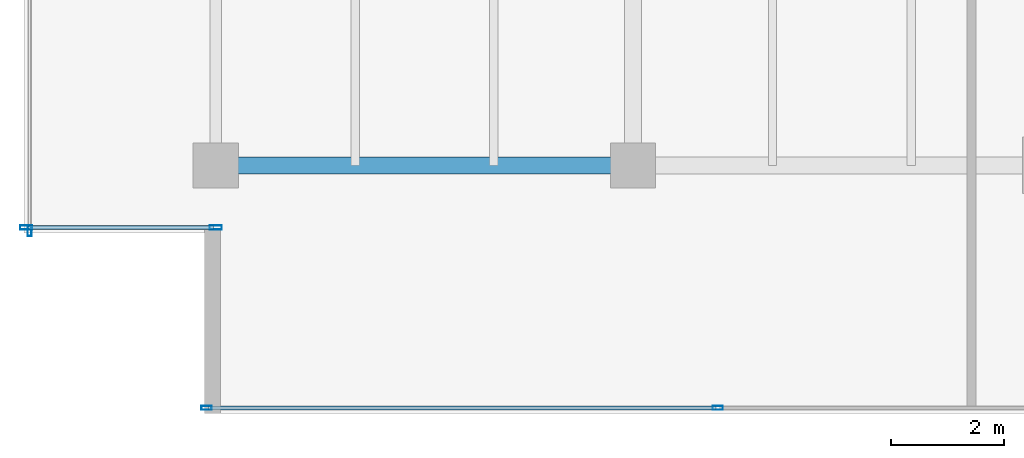
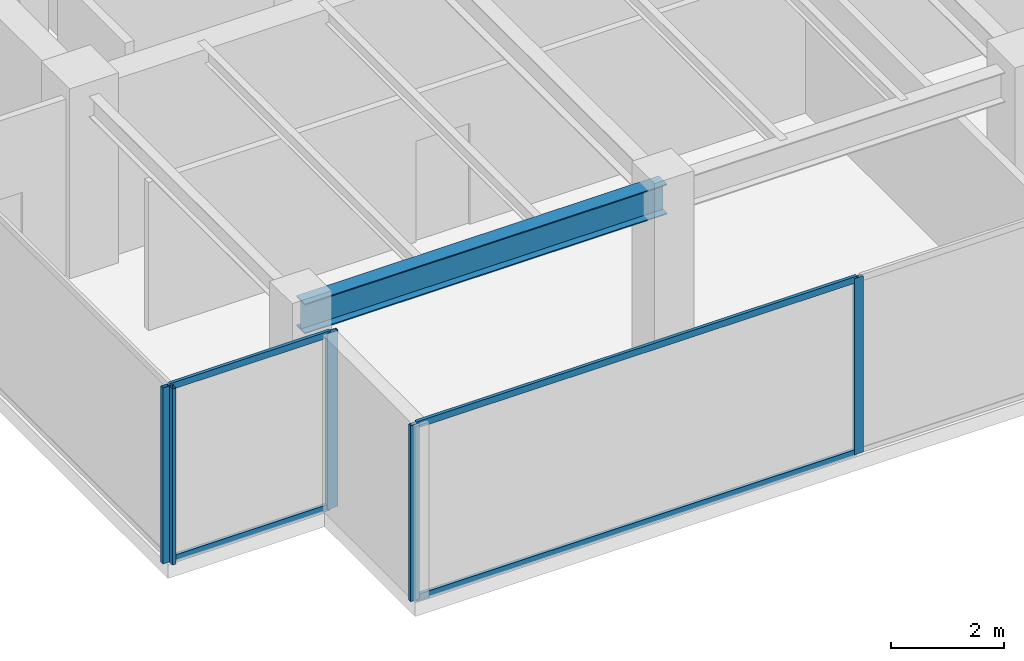
# One storey, part 5 of 33: 9 members, 1 beam, 3 elements without a shape of their own.
"""IFC4 building model written with IfcOpenShell, lengths in metres."""

from ifc_helpers import new_model, si_unit, direction, frame, origin, origin_2d, place, context, subcontext, project, spatial, hollow_rectangle, i_section, extrude, source, transform, mapped, material, layer, layer_set, material_profile, profile_set, type_object, type_shapes, element, aggregate, save


model = new_model("IFC4")

# Units and contexts
model_context = context("Model", 3, precision=1e-05, world=origin(), true_north=direction((0.0, 1.0)))
body_context = subcontext(model_context, "Body", "Model", "MODEL_VIEW")
ifc_project = project(units=[si_unit("LENGTHUNIT", "METRE"), si_unit("AREAUNIT", "SQUARE_METRE"), si_unit("VOLUMEUNIT", "CUBIC_METRE"), si_unit("PLANEANGLEUNIT", "RADIAN"), si_unit("MASSUNIT", "GRAM", prefix="KILO")], contexts=[model_context])

# Site, building, storey
site_placement = place(None, origin())
site = spatial("IfcSite", under=ifc_project, at=site_placement, CompositionType="ELEMENT")
building_placement = place(site_placement, origin())
building = spatial("IfcBuilding", under=site, at=building_placement, Name="Haelvirn Gate Laboratories", CompositionType="ELEMENT")
storey_placement = place(building_placement, frame((0.0, 0.0, 230.10009765625)))
storey = spatial("IfcBuildingStorey", under=building, at=storey_placement, Name="L55", CompositionType="ELEMENT", Elevation=230.10009765625)

# Beam
ifc_material_1 = material(Name="Steel SM355", Category="steel")
ifc_material_profile_1 = material_profile(ifc_material_1, i_section(OverallWidth=0.300048828125, OverallDepth=0.64990234375, WebThickness=0.012939453125, FlangeThickness=0.02197265625, at=origin_2d()), Name="H-650x300x13x22")
ifc_profile_set_1 = profile_set([ifc_material_profile_1], Name="Steel SM355")
beam_type = type_object("IfcBeamType", Name="BM-G-650", PredefinedType="BEAM", material=ifc_profile_set_1)
shared_shape_1 = source(origin(), body_context, "Body", "SweptSolid", [
    extrude(i_section(OverallWidth=0.300048828125, OverallDepth=0.64990234375, WebThickness=0.012939453125, FlangeThickness=0.02197265625, at=origin_2d()), origin(), (0.0, 0.0, 1.0), 7.400146484375),
])
type_shapes(beam_type, [shared_shape_1])
beam_placement = place(storey_placement, frame((7.39990234375, 7.0, 3.474853515625), z_axis=(1.0, 0.0, 0.0), x_axis=(0.0, 1.0, 0.0)))
element("IfcBeam", 1, at=beam_placement, inside=storey, type_object=beam_type, Name="L55 Primary Girder Y7.0 (7.4-14.8)", PredefinedType="BEAM", context=body_context, shape_type="MappedRepresentation", body=[
    mapped(shared_shape_1, transform((0.0, 0.0, 0.0), scale=1.0)),
])

# Curtain wall, members
ifc_material_2 = material(Name="Anodised bronze unitised aluminium & triple low-E glass", Category="aluminium")
ifc_layer_1 = layer(ifc_material_2, 0.181884765625, Name="CW-SYS-5")
ifc_layer_set_1 = layer_set([ifc_layer_1], Name="Anodised bronze unitised aluminium & triple low-E glass")
curtain_wall_type_1 = type_object("IfcCurtainWallType", Name="CW-SYS-5", PredefinedType="NOTDEFINED", material=ifc_layer_set_1)
curtain_wall_1_placement = place(storey_placement, origin())
curtain_wall_1 = element("IfcCurtainWall", 2, at=curtain_wall_1_placement, inside=storey, type_object=curtain_wall_type_1, Name="L55 Unitised Curtain Wall CW-L55-P0-E18-1", PredefinedType="NOTDEFINED")
ifc_material_3 = material(Name="Extruded aluminium 6063-T6 (anodised bronze)", Category="aluminium")
ifc_material_profile_2 = material_profile(ifc_material_3, hollow_rectangle(XDim=0.06494140625, YDim=0.139892578125, WallThickness=0.00390625, at=origin_2d()), Name="CWT-140x65x4")
ifc_profile_set_2 = profile_set([ifc_material_profile_2], Name="Extruded aluminium 6063-T6 (anodised bronze)")
member_type_1 = type_object("IfcMemberType", Name="CWT-T140", PredefinedType="USERDEFINED", material=ifc_profile_set_2)
shared_shape_2 = source(origin(), body_context, "Body", "SweptSolid", [
    extrude(hollow_rectangle(XDim=0.06494140625, YDim=0.139892578125, WallThickness=0.00390625, at=origin_2d()), origin(), (0.0, 0.0, 1.0), 3.280029296875),
])
member_1_placement = place(storey_placement, frame((4.080078125, 5.89990234375, 0.032470703125), z_axis=(1.0, 0.0, 0.0), x_axis=(0.0, 1.0, 0.0)))
member_1 = element("IfcMember", 3, at=member_1_placement, type_object=member_type_1, Name="CW5 transom 1.1", ObjectType="TRANSOM", PredefinedType="USERDEFINED", context=body_context, shape_type="MappedRepresentation", body=[
    mapped(shared_shape_2, transform((0.0, 0.0, 0.0), scale=1.0)),
])
member_2_placement = place(storey_placement, frame((4.080078125, 5.89990234375, 3.767333984375), z_axis=(1.0, 0.0, 0.0), x_axis=(0.0, 1.0, 0.0)))
member_2 = element("IfcMember", 4, at=member_2_placement, type_object=member_type_1, Name="CW5 transom 1.2", ObjectType="TRANSOM", PredefinedType="USERDEFINED", context=body_context, shape_type="MappedRepresentation", body=[
    mapped(shared_shape_2, transform((0.0, 0.0, 0.0), scale=1.0)),
])

ifc_layer_2 = layer(ifc_material_2, 0.176025390625, Name="CW-SYS-4")
ifc_layer_set_2 = layer_set([ifc_layer_2], Name="Anodised bronze unitised aluminium & triple low-E glass")
curtain_wall_type_2 = type_object("IfcCurtainWallType", Name="CW-SYS-4", PredefinedType="NOTDEFINED", material=ifc_layer_set_2)
curtain_wall_2_placement = place(storey_placement, origin())
curtain_wall_2 = element("IfcCurtainWall", 5, at=curtain_wall_2_placement, inside=storey, type_object=curtain_wall_type_2, Name="L55 Unitised Curtain Wall CW-L55-P0-E00-1", PredefinedType="NOTDEFINED")
shared_shape_3 = source(origin(), body_context, "Body", "SweptSolid", [
    extrude(hollow_rectangle(XDim=0.06494140625, YDim=0.139892578125, WallThickness=0.00390625, at=origin_2d()), origin(), (0.0, 0.0, 1.0), 8.994873046875),
])
type_shapes(member_type_1, [shared_shape_2, shared_shape_3])
member_3_placement = place(storey_placement, frame((7.27001953125, 2.699951171875, 0.032470703125), z_axis=(1.0, 0.0, 0.0), x_axis=(0.0, 1.0, 0.0)))
member_3 = element("IfcMember", 6, at=member_3_placement, type_object=member_type_1, Name="CW4 transom 1.1", ObjectType="TRANSOM", PredefinedType="USERDEFINED", context=body_context, shape_type="MappedRepresentation", body=[
    mapped(shared_shape_3, transform((0.0, 0.0, 0.0), scale=1.0)),
])
member_4_placement = place(storey_placement, frame((7.27001953125, 2.699951171875, 3.767333984375), z_axis=(1.0, 0.0, 0.0), x_axis=(0.0, 1.0, 0.0)))
member_4 = element("IfcMember", 7, at=member_4_placement, type_object=member_type_1, Name="CW4 transom 1.2", ObjectType="TRANSOM", PredefinedType="USERDEFINED", context=body_context, shape_type="MappedRepresentation", body=[
    mapped(shared_shape_3, transform((0.0, 0.0, 0.0), scale=1.0)),
])
ifc_material_profile_3 = material_profile(ifc_material_3, hollow_rectangle(XDim=0.070068359375, YDim=0.179931640625, WallThickness=0.0048828125, at=origin_2d()), Name="CWM-180x70x5")
ifc_profile_set_3 = profile_set([ifc_material_profile_3], Name="Extruded aluminium 6063-T6 (anodised bronze)")
member_type_2 = type_object("IfcMemberType", Name="CWM-T180", PredefinedType="MULLION", material=ifc_profile_set_3)
shared_shape_4 = source(origin(), body_context, "Body", "SweptSolid", [
    extrude(hollow_rectangle(XDim=0.070068359375, YDim=0.179931640625, WallThickness=0.0048828125, at=origin_2d()), origin(), (0.0, 0.0, 1.0), 3.7998046875),
])
type_shapes(member_type_2, [shared_shape_4])
member_5_placement = place(storey_placement, frame((7.235107421875, 2.699951171875, 0.0), z_axis=(0.0, 0.0, 1.0), x_axis=(0.0, 1.0, 0.0)))
member_5 = element("IfcMember", 8, at=member_5_placement, type_object=member_type_2, Name="CW4 mullion 1", PredefinedType="MULLION", context=body_context, shape_type="MappedRepresentation", body=[
    mapped(shared_shape_4, transform((0.0, 0.0, 0.0), scale=1.0)),
])
member_6_placement = place(storey_placement, frame((16.300048828125, 2.699951171875, 0.0), z_axis=(0.0, 0.0, 1.0), x_axis=(0.0, 1.0, 0.0)))
member_6 = element("IfcMember", 9, at=member_6_placement, type_object=member_type_2, Name="CW4 mullion 2", PredefinedType="MULLION", context=body_context, shape_type="MappedRepresentation", body=[
    mapped(shared_shape_4, transform((0.0, 0.0, 0.0), scale=1.0)),
])
aggregate(curtain_wall_2, [member_5, member_6, member_3, member_4])

# Curtain wall, member
curtain_wall_3_placement = place(storey_placement, origin())
curtain_wall_3 = element("IfcCurtainWall", 10, at=curtain_wall_3_placement, inside=storey, type_object=curtain_wall_type_2, Name="L55 Unitised Curtain Wall CW-L55-P0-E17", PredefinedType="NOTDEFINED")
member_7_placement = place(storey_placement, frame((4.10009765625, 5.8349609375, 0.0), z_axis=(0.0, 0.0, 1.0), x_axis=(1.0, 0.0, 0.0)))
member_7 = element("IfcMember", 11, at=member_7_placement, type_object=member_type_2, Name="CW4 mullion 3", PredefinedType="MULLION", context=body_context, shape_type="MappedRepresentation", body=[
    mapped(shared_shape_4, transform((0.0, 0.0, 0.0), scale=1.0)),
])
aggregate(curtain_wall_3, [member_7])

# Member
ifc_material_profile_4 = material_profile(ifc_material_3, hollow_rectangle(XDim=0.080078125, YDim=0.219970703125, WallThickness=0.006103515625, at=origin_2d()), Name="CWM-220x80x6")
ifc_profile_set_4 = profile_set([ifc_material_profile_4], Name="Extruded aluminium 6063-T6 (anodised bronze)")
member_type_3 = type_object("IfcMemberType", Name="CWM-T220", PredefinedType="MULLION", material=ifc_profile_set_4)
shared_shape_5 = source(origin(), body_context, "Body", "SweptSolid", [
    extrude(hollow_rectangle(XDim=0.080078125, YDim=0.219970703125, WallThickness=0.006103515625, at=origin_2d()), origin(), (0.0, 0.0, 1.0), 3.7998046875),
])
type_shapes(member_type_3, [shared_shape_5])
member_8_placement = place(storey_placement, frame((4.0400390625, 5.89990234375, 0.0), z_axis=(0.0, 0.0, 1.0), x_axis=(0.0, 1.0, 0.0)))
member_8 = element("IfcMember", 12, at=member_8_placement, type_object=member_type_3, Name="CW5 mullion 1", PredefinedType="MULLION", context=body_context, shape_type="MappedRepresentation", body=[
    mapped(shared_shape_5, transform((0.0, 0.0, 0.0), scale=1.0)),
])

member_9_placement = place(storey_placement, frame((7.39990234375, 5.89990234375, 0.0), z_axis=(0.0, 0.0, 1.0), x_axis=(0.0, 1.0, 0.0)))
member_9 = element("IfcMember", 13, at=member_9_placement, type_object=member_type_3, Name="CW5 mullion 2", PredefinedType="MULLION", context=body_context, shape_type="MappedRepresentation", body=[
    mapped(shared_shape_5, transform((0.0, 0.0, 0.0), scale=1.0)),
])

aggregate(curtain_wall_1, [member_8, member_9, member_1, member_2])

save(model, "model.ifc")
